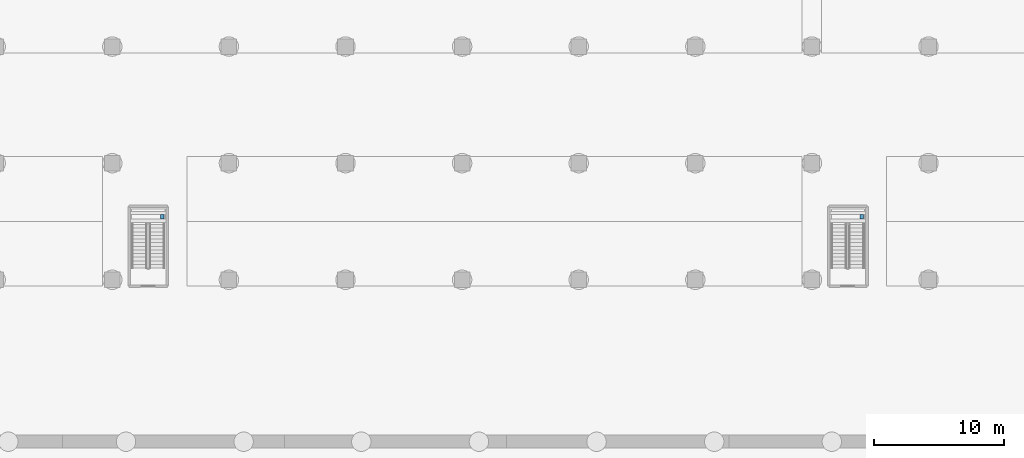
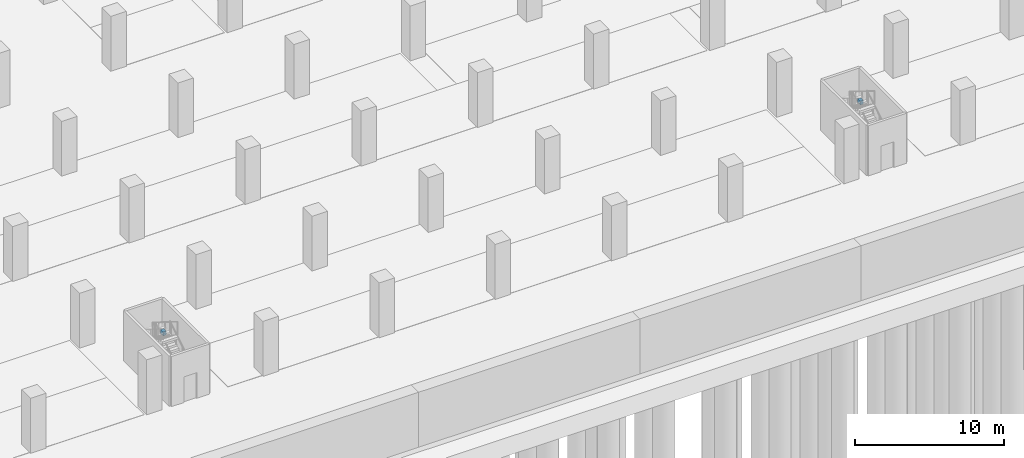
# One storey, part 7 of 39: 2 beams.
"""IFC4 building model written with IfcOpenShell, lengths in metres."""

from ifc_helpers import new_model, si_unit, direction, frame, origin, origin_2d, place, context, subcontext, project, spatial, rectangle, extrude, material, material_profile, profile_set, type_object, element, save


model = new_model("IFC4")

# Units and contexts
model_context = context("Model", 3, precision=1e-05, world=origin(), true_north=direction((0.0, 1.0)))
body_context = subcontext(model_context, "Body", "Model", "MODEL_VIEW")
ifc_project = project(units=[si_unit("LENGTHUNIT", "METRE"), si_unit("AREAUNIT", "SQUARE_METRE"), si_unit("VOLUMEUNIT", "CUBIC_METRE"), si_unit("PLANEANGLEUNIT", "RADIAN"), si_unit("MASSUNIT", "GRAM", prefix="KILO")], contexts=[model_context])

# Site, building, storey
site_placement = place(None, origin())
site = spatial("IfcSite", under=ifc_project, at=site_placement, CompositionType="ELEMENT")
building_placement = place(site_placement, origin())
building = spatial("IfcBuilding", under=site, at=building_placement, Name="Ogive Gate Towers", CompositionType="ELEMENT")
storey_placement = place(building_placement, frame((0.0, 0.0, -9.0)))
storey = spatial("IfcBuildingStorey", under=building, at=storey_placement, Name="B2", CompositionType="ELEMENT", Elevation=-9.0)

# Beams
ifc_material = material(Name="Concrete C40/50", Category="concrete")
ifc_material_profile = material_profile(ifc_material, rectangle(XDim=0.25, YDim=0.300048828125, at=origin_2d()), Name="RC 250x300")
ifc_profile_set = profile_set([ifc_material_profile], Name="Concrete C40/50")
beam_type = type_object("IfcBeamType", Name="Landing bearer RC 250x300 (stair)", PredefinedType="BEAM", material=ifc_profile_set)
for number, where, z_axis, x_axis, name in (
    (1, (-95.14990234375, -58.31494140625, 1.89990234375), (0.0, 1.0, 0.0), (-1.0, 0.0, 0.0), "CS5 B2 landing 1 bearer 3"),
    (2, (-41.14990234375, -58.31494140625, 1.89990234375), (0.0, 1.0, 0.0), (-1.0, 0.0, 0.0), "CS6 B2 landing 1 bearer 3"),
):
    element("IfcBeam", number, at=place(storey_placement, frame(where, z_axis=z_axis, x_axis=x_axis)), inside=storey, type_object=beam_type, Name=name, PredefinedType="BEAM", context=body_context, shape_type="SweptSolid", body=[
        extrude(rectangle(XDim=0.25, YDim=0.300048828125, at=origin_2d()), origin(), (0.0, 0.0, 1.0), 0.349853515625),
    ])

save(model, "model.ifc")
